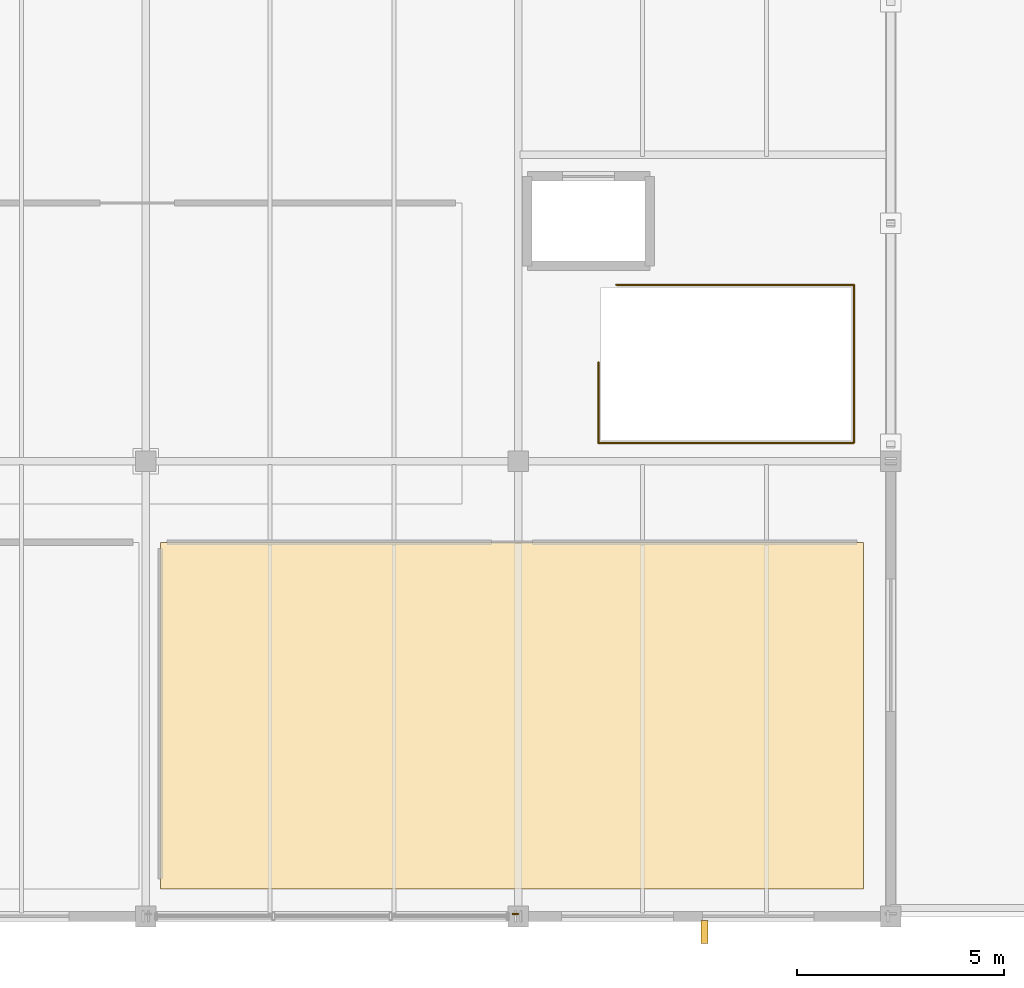
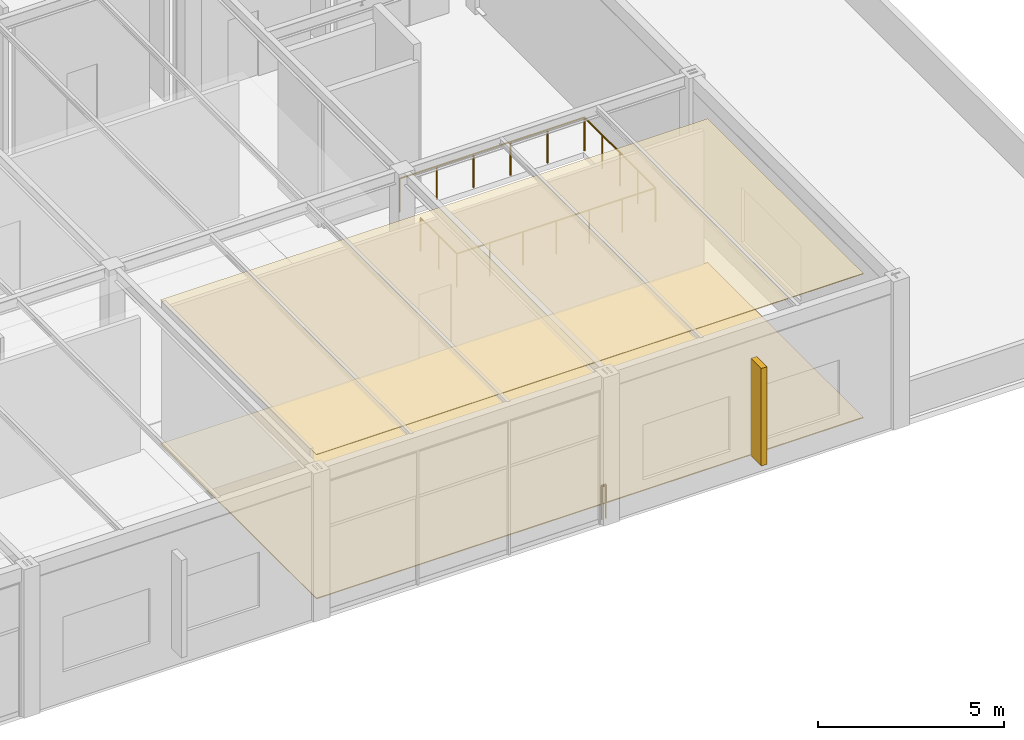
# One storey, part 190 of 195: 3 railings, 2 coverings, 1 shading device.
"""IFC4 building model written with IfcOpenShell, lengths in metres."""

from ifc_helpers import new_model, si_unit, direction, frame, origin, origin_2d, place, context, subcontext, project, spatial, polyline, rectangle, circle, outline, extrude, material, layer, layer_set, type_object, element, save


model = new_model("IFC4")

# Units and contexts
model_context = context("Model", 3, precision=1e-05, world=origin(), true_north=direction((0.0, 1.0)))
body_context = subcontext(model_context, "Body", "Model", "MODEL_VIEW")
ifc_project = project(units=[si_unit("LENGTHUNIT", "METRE"), si_unit("AREAUNIT", "SQUARE_METRE"), si_unit("VOLUMEUNIT", "CUBIC_METRE"), si_unit("PLANEANGLEUNIT", "RADIAN"), si_unit("MASSUNIT", "GRAM", prefix="KILO")], contexts=[model_context])

# Site, building, storey
site_placement = place(None, origin())
site = spatial("IfcSite", under=ifc_project, at=site_placement, CompositionType="ELEMENT")
building_placement = place(site_placement, origin())
building = spatial("IfcBuilding", under=site, at=building_placement, Name="Marlcrest Central Station", CompositionType="ELEMENT")
storey_placement = place(building_placement, frame((0.0, 0.0, 9.800048828125)))
storey = spatial("IfcBuildingStorey", under=building, at=storey_placement, Name="L02", CompositionType="ELEMENT", Elevation=9.800048828125)

# Coverings
ifc_material_1 = material(Name="Perforated acoustic mineral-fibre ceiling")
ifc_layer_1 = layer(ifc_material_1, 0.02490234375, Name="CV-CLG")
ifc_layer_set_1 = layer_set([ifc_layer_1], Name="Perforated acoustic mineral-fibre ceiling")
covering_type_1 = type_object("IfcCoveringType", Name="CV-CLG", PredefinedType="CEILING", material=ifc_layer_set_1)
covering_1_placement = place(storey_placement, frame((0.0, 0.0, 4.724853515625)))
element("IfcCovering", 1, at=covering_1_placement, inside=storey, type_object=covering_type_1, Name="cov-clg-0103", PredefinedType="CEILING", context=body_context, shape_type="SweptSolid", body=[
    extrude(outline(polyline([(206.340087890625, 0.659912109375), (206.340087890625, 9.0400390625), (189.360107421875, 9.0400390625), (189.360107421875, 0.659912109375), (206.340087890625, 0.659912109375)])), origin(), (0.0, 0.0, 1.0), 0.025146484375),
])
ifc_material_2 = material(Name="Polished terrazzo and tactile transit flooring")
ifc_layer_2 = layer(ifc_material_2, 0.030029296875, Name="CV-FLR")
ifc_layer_set_2 = layer_set([ifc_layer_2], Name="Polished terrazzo and tactile transit flooring")
covering_type_2 = type_object("IfcCoveringType", Name="CV-FLR", PredefinedType="FLOORING", material=ifc_layer_set_2)
covering_2_placement = place(storey_placement, origin())
element("IfcCovering", 2, at=covering_2_placement, inside=storey, type_object=covering_type_2, Name="cov-flr-0104", PredefinedType="FLOORING", context=body_context, shape_type="SweptSolid", body=[
    extrude(outline(polyline([(206.340087890625, 0.659912109375), (206.340087890625, 9.0400390625), (189.360107421875, 9.0400390625), (189.360107421875, 0.659912109375), (206.340087890625, 0.659912109375)])), origin(), (0.0, 0.0, 1.0), 0.030029296875),
])

# Railings
ifc_material_3 = material(Name="Stainless steel and laminated glass concourse balustrade", Category="steel")
railing_type = type_object("IfcRailingType", Name="GR-02", PredefinedType="BALUSTRADE", material=ifc_material_3)
railing_1_placement = place(storey_placement, frame((197.9970703125, 0.06005859375, 0.0)))
element("IfcRailing", 3, at=railing_1_placement, inside=storey, type_object=railing_type, Name="hr-L02-00348", PredefinedType="BALUSTRADE", context=body_context, shape_type="SweptSolid", body=[
    extrude(circle(Radius=0.02392578125, at=origin_2d()), frame((0.0, 0.0, 1.09619140625), z_axis=(-1.0, 0.0, 0.0), x_axis=(0.0, -1.0, 0.0)), (0.0, 0.0, 1.0), 0.132080078125),
    extrude(circle(Radius=0.02099609375, at=origin_2d()), origin(), (0.0, 0.0, 1.0), 1.072021484375),
    extrude(circle(Radius=0.02099609375, at=origin_2d()), frame((-0.132080078125, 0.0, 0.0)), (0.0, 0.0, 1.0), 1.072021484375),
])
railing_2_placement = place(storey_placement, frame((199.93994140625, 11.43994140625, 0.0)))
element("IfcRailing", 4, at=railing_2_placement, inside=storey, type_object=railing_type, Name="hr-L02-00353", PredefinedType="BALUSTRADE", context=body_context, shape_type="SweptSolid", body=[
    extrude(circle(Radius=0.02392578125, at=origin_2d()), frame((0.0, 0.0, 1.09619140625), z_axis=(1.0, 0.0, 0.0), x_axis=(0.0, 1.0, 0.0)), (0.0, 0.0, 1.0), 6.170166015625),
    extrude(circle(Radius=0.02392578125, at=origin_2d()), frame((6.170166015625, 0.0, 1.09619140625), z_axis=(0.0, 1.0, 0.0), x_axis=(-1.0, 0.0, 0.0)), (0.0, 0.0, 1.0), 3.820068359375),
    extrude(circle(Radius=0.02392578125, at=origin_2d()), frame((6.170166015625, 3.820068359375, 1.09619140625), z_axis=(-1.0, 0.0, 0.0), x_axis=(0.0, -1.0, 0.0)), (0.0, 0.0, 1.0), 5.739990234375),
    extrude(circle(Radius=0.02099609375, at=origin_2d()), origin(), (0.0, 0.0, 1.0), 1.072021484375),
    extrude(circle(Radius=0.02099609375, at=origin_2d()), frame((1.0283203125, 0.0, 0.0)), (0.0, 0.0, 1.0), 1.072021484375),
    extrude(circle(Radius=0.02099609375, at=origin_2d()), frame((2.056640625, 0.0, 0.0)), (0.0, 0.0, 1.0), 1.072021484375),
    extrude(circle(Radius=0.02099609375, at=origin_2d()), frame((3.0849609375, 0.0, 0.0)), (0.0, 0.0, 1.0), 1.072021484375),
    extrude(circle(Radius=0.02099609375, at=origin_2d()), frame((4.113525390625, 0.0, 0.0)), (0.0, 0.0, 1.0), 1.072021484375),
    extrude(circle(Radius=0.02099609375, at=origin_2d()), frame((5.141845703125, 0.0, 0.0)), (0.0, 0.0, 1.0), 1.072021484375),
    extrude(circle(Radius=0.02099609375, at=origin_2d()), frame((6.170166015625, 0.0, 0.0)), (0.0, 0.0, 1.0), 1.072021484375),
    extrude(circle(Radius=0.02099609375, at=origin_2d()), frame((6.170166015625, 0.955078125, 0.0)), (0.0, 0.0, 1.0), 1.072021484375),
    extrude(circle(Radius=0.02099609375, at=origin_2d()), frame((6.170166015625, 1.91015625, 0.0)), (0.0, 0.0, 1.0), 1.072021484375),
    extrude(circle(Radius=0.02099609375, at=origin_2d()), frame((6.170166015625, 2.864990234375, 0.0)), (0.0, 0.0, 1.0), 1.072021484375),
    extrude(circle(Radius=0.02099609375, at=origin_2d()), frame((6.170166015625, 3.820068359375, 0.0)), (0.0, 0.0, 1.0), 1.072021484375),
    extrude(circle(Radius=0.02099609375, at=origin_2d()), frame((5.022216796875, 3.820068359375, 0.0)), (0.0, 0.0, 1.0), 1.072021484375),
    extrude(circle(Radius=0.02099609375, at=origin_2d()), frame((3.874267578125, 3.820068359375, 0.0)), (0.0, 0.0, 1.0), 1.072021484375),
    extrude(circle(Radius=0.02099609375, at=origin_2d()), frame((2.72607421875, 3.820068359375, 0.0)), (0.0, 0.0, 1.0), 1.072021484375),
    extrude(circle(Radius=0.02099609375, at=origin_2d()), frame((1.578125, 3.820068359375, 0.0)), (0.0, 0.0, 1.0), 1.072021484375),
    extrude(circle(Radius=0.02099609375, at=origin_2d()), frame((0.43017578125, 3.820068359375, 0.0)), (0.0, 0.0, 1.0), 1.072021484375),
])
railing_3_placement = place(storey_placement, frame((199.93994140625, 13.389892578125, 0.0)))
element("IfcRailing", 5, at=railing_3_placement, inside=storey, type_object=railing_type, Name="hr-L02-00354", PredefinedType="BALUSTRADE", context=body_context, shape_type="SweptSolid", body=[
    extrude(circle(Radius=0.02392578125, at=origin_2d()), frame((0.0, 0.0, 1.09619140625), z_axis=(0.0, -1.0, 0.0), x_axis=(1.0, 0.0, 0.0)), (0.0, 0.0, 1.0), 1.949951171875),
    extrude(circle(Radius=0.02099609375, at=origin_2d()), origin(), (0.0, 0.0, 1.0), 1.072021484375),
    extrude(circle(Radius=0.02099609375, at=origin_2d()), frame((0.0, -0.97509765625, 0.0)), (0.0, 0.0, 1.0), 1.072021484375),
    extrude(circle(Radius=0.02099609375, at=origin_2d()), frame((0.0, -1.949951171875, 0.0)), (0.0, 0.0, 1.0), 1.072021484375),
])

# Shading device
ifc_material_4 = material(Name="Precast concrete C40/50", Category="concrete")
shading_device_type = type_object("IfcShadingDeviceType", Name="SD-BS2", PredefinedType="USERDEFINED", material=ifc_material_4)
shading_device_placement = place(storey_placement, frame((202.5, -0.375, 0.59521484375), z_axis=(0.0, 0.0, 1.0), x_axis=(1.0, 0.0, 0.0)))
element("IfcShadingDevice", 6, at=shading_device_placement, inside=storey, type_object=shading_device_type, Name="shd-L02-0031", ObjectType="BRISE_SOLEIL", PredefinedType="USERDEFINED", context=body_context, shape_type="SweptSolid", body=[
    extrude(rectangle(XDim=0.179931640625, YDim=0.550048828125, at=origin_2d()), origin(), (0.0, 0.0, 1.0), 3.199951171875),
])

save(model, "model.ifc")
